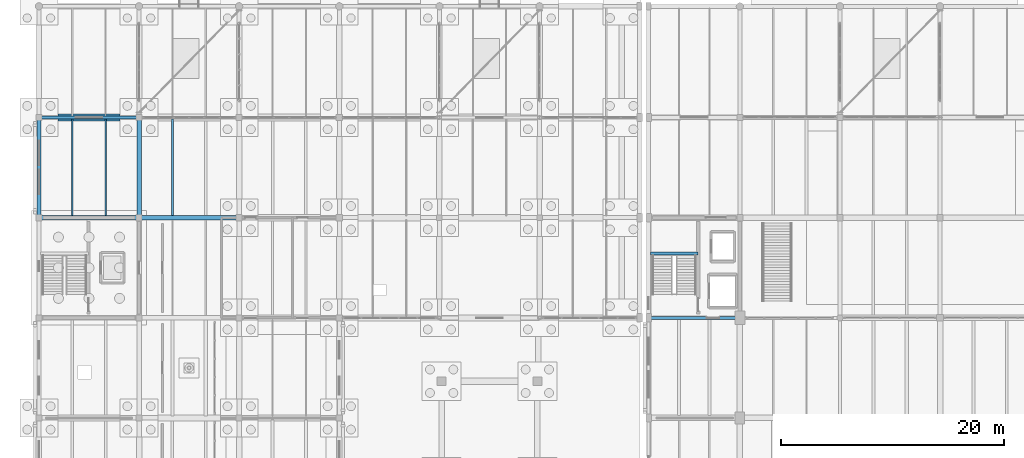
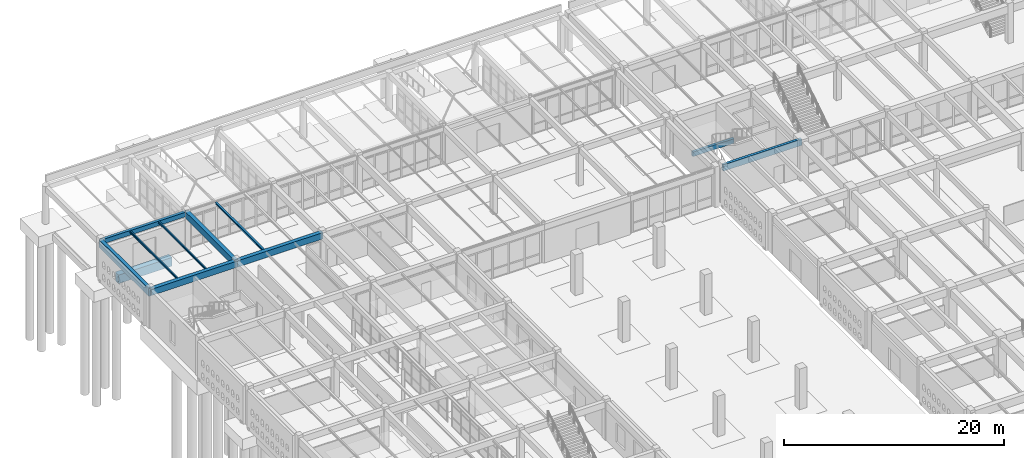
# One storey, part 64 of 186: 11 beams.
"""IFC4 building model written with IfcOpenShell, lengths in metres."""

from ifc_helpers import new_model, si_unit, direction, frame, origin, origin_2d, place, context, subcontext, project, spatial, rectangle, i_section, extrude, material, material_profile, profile_set, type_object, element, save


model = new_model("IFC4")

# Units and contexts
model_context = context("Model", 3, precision=1e-05, world=origin(), true_north=direction((0.0, 1.0)))
body_context = subcontext(model_context, "Body", "Model", "MODEL_VIEW")
ifc_project = project(units=[si_unit("LENGTHUNIT", "METRE"), si_unit("AREAUNIT", "SQUARE_METRE"), si_unit("VOLUMEUNIT", "CUBIC_METRE"), si_unit("PLANEANGLEUNIT", "RADIAN"), si_unit("MASSUNIT", "GRAM", prefix="KILO")], contexts=[model_context])

# Site, building, storey
site_placement = place(None, origin())
site = spatial("IfcSite", under=ifc_project, at=site_placement, CompositionType="ELEMENT")
building_placement = place(site_placement, origin())
building = spatial("IfcBuilding", under=site, at=building_placement, Name="Ornek Quay Market", CompositionType="ELEMENT")
storey_placement = place(building_placement, origin())
storey = spatial("IfcBuildingStorey", under=building, at=storey_placement, Name="L00", CompositionType="ELEMENT", Elevation=0.0)

# Beams
ifc_material_1 = material(Name="Concrete C35/45", Category="concrete")
ifc_material_profile_1 = material_profile(ifc_material_1, rectangle(XDim=0.60009765625, YDim=0.949951171875, at=origin_2d()), Name="RC 600x950", Category="concrete")
ifc_profile_set_1 = profile_set([ifc_material_profile_1], Name="Concrete C35/45")
beam_type_1 = type_object("IfcBeamType", Name="BM-GB-600x950", PredefinedType="BEAM", material=ifc_profile_set_1)
beam_1_placement = place(storey_placement, frame((1.699951171875, 110.0, -0.675048828125), z_axis=(1.0, 0.0, 0.0), x_axis=(0.0, 1.0, 0.0)))
element("IfcBeam", 1, at=beam_1_placement, inside=storey, type_object=beam_type_1, Name="Ground tie beam GB-042", PredefinedType="BEAM", context=body_context, shape_type="SweptSolid", body=[
    extrude(rectangle(XDim=0.60009765625, YDim=0.949951171875, at=origin_2d()), origin(), (0.0, 0.0, 1.0), 5.60009765625),
])
ifc_material_profile_2 = material_profile(ifc_material_1, rectangle(XDim=0.280029296875, YDim=0.5, at=origin_2d()), Name="RC 280x500", Category="concrete")
ifc_profile_set_2 = profile_set([ifc_material_profile_2], Name="Concrete C35/45")
beam_type_2 = type_object("IfcBeamType", Name="BM-SEC-280x500", PredefinedType="JOIST", material=ifc_profile_set_2)
beam_2_placement = place(storey_placement, frame((54.949951171875, 97.7919921875, 1.8349609375), z_axis=(1.0, 0.0, 0.0), x_axis=(0.0, 1.0, 0.0)))
element("IfcBeam", 2, at=beam_2_placement, inside=storey, type_object=beam_type_2, Name="Stair landing beam BL-05", PredefinedType="JOIST", context=body_context, shape_type="SweptSolid", body=[
    extrude(rectangle(XDim=0.280029296875, YDim=0.5, at=origin_2d()), origin(), (0.0, 0.0, 1.0), 4.300048828125),
])
ifc_material_profile_3 = material_profile(ifc_material_1, rectangle(XDim=0.280029296875, YDim=0.699951171875, at=origin_2d()), Name="RC 280x700", Category="concrete")
ifc_profile_set_3 = profile_set([ifc_material_profile_3], Name="Concrete C35/45")
beam_type_3 = type_object("IfcBeamType", Name="BM-SPN-280x700", PredefinedType="SPANDREL", material=ifc_profile_set_3)
beam_3_placement = place(storey_placement, frame((54.800048828125, 92.0, 3.889892578125), z_axis=(1.0, 0.0, 0.0), x_axis=(0.0, 1.0, 0.0)))
element("IfcBeam", 3, at=beam_3_placement, inside=storey, type_object=beam_type_3, Name="Primary beam B-SP2-017", PredefinedType="SPANDREL", context=body_context, shape_type="SweptSolid", body=[
    extrude(rectangle(XDim=0.280029296875, YDim=0.699951171875, at=origin_2d()), origin(), (0.0, 0.0, 1.0), 8.199951171875),
])
ifc_material_2 = material(Name="Concrete C40/50", Category="concrete")
ifc_material_profile_4 = material_profile(ifc_material_2, rectangle(XDim=0.35009765625, YDim=0.85009765625, at=origin_2d()), Name="RC 350x850", Category="concrete")
ifc_profile_set_4 = profile_set([ifc_material_profile_4], Name="Concrete C40/50")
beam_type_4 = type_object("IfcBeamType", Name="BM-SPN-350x850", PredefinedType="SPANDREL", material=ifc_profile_set_4)
beam_4_placement = place(storey_placement, frame((0.0, 101.0, 3.794921875), z_axis=(0.0, 1.0, 0.0), x_axis=(-1.0, 0.0, 0.0)))
element("IfcBeam", 4, at=beam_4_placement, inside=storey, type_object=beam_type_4, Name="Primary beam B-SP1-059", PredefinedType="SPANDREL", context=body_context, shape_type="SweptSolid", body=[
    extrude(rectangle(XDim=0.35009765625, YDim=0.85009765625, at=origin_2d()), origin(), (0.0, 0.0, 1.0), 9.0),
])
ifc_material_3 = material(Name="Steel S355", Category="steel")
ifc_material_profile_5 = material_profile(ifc_material_3, i_section(OverallWidth=0.199951171875, OverallDepth=0.18994140625, WebThickness=0.006591796875, FlangeThickness=0.010009765625, FilletRadius=0.01806640625, at=origin_2d()), Name="HEA 200", Category="steel")
ifc_profile_set_5 = profile_set([ifc_material_profile_5], Name="Steel S355")
beam_type_5 = type_object("IfcBeamType", Name="BM-STL-HEA200", PredefinedType="BEAM", material=ifc_profile_set_5)
beam_5_placement = place(storey_placement, frame((12.0, 101.19189453125, 4.125), z_axis=(0.0, 1.0, 0.0), x_axis=(-1.0, 0.0, 0.0)))
element("IfcBeam", 5, at=beam_5_placement, inside=storey, type_object=beam_type_5, Name="Secondary joist SB-12-009", PredefinedType="BEAM", context=body_context, shape_type="SweptSolid", body=[
    extrude(i_section(OverallWidth=0.199951171875, OverallDepth=0.18994140625, WebThickness=0.006591796875, FlangeThickness=0.010009765625, FilletRadius=0.01806640625, at=origin_2d()), origin(), (0.0, 0.0, 1.0), 8.666015625),
])
ifc_material_profile_6 = material_profile(ifc_material_3, i_section(OverallWidth=0.1201171875, OverallDepth=0.239990234375, WebThickness=0.006103515625, FlangeThickness=0.009765625, FilletRadius=0.014892578125, at=origin_2d()), Name="IPE 240", Category="steel")
ifc_profile_set_6 = profile_set([ifc_material_profile_6], Name="Steel S355")
beam_type_6 = type_object("IfcBeamType", Name="BM-STL-IPE240", PredefinedType="JOIST", material=ifc_profile_set_6)
for number, where, z_axis, x_axis, name in (
    (6, (3.0, 101.19189453125, 4.10009765625), (0.0, 1.0, 0.0), (-1.0, 0.0, 0.0), "Secondary joist SB-04-005"),
    (7, (6.0, 101.19189453125, 4.10009765625), (0.0, 1.0, 0.0), (-1.0, 0.0, 0.0), "Secondary joist SB-04-006"),
):
    element("IfcBeam", number, at=place(storey_placement, frame(where, z_axis=z_axis, x_axis=x_axis)), inside=storey, type_object=beam_type_6, Name=name, PredefinedType="JOIST", context=body_context, shape_type="SweptSolid", body=[
        extrude(i_section(OverallWidth=0.1201171875, OverallDepth=0.239990234375, WebThickness=0.006103515625, FlangeThickness=0.009765625, FilletRadius=0.014892578125, at=origin_2d()), origin(), (0.0, 0.0, 1.0), 8.666015625),
    ])
ifc_material_profile_7 = material_profile(ifc_material_2, rectangle(XDim=0.300048828125, YDim=0.5, at=origin_2d()), Name="RC 300x500", Category="concrete")
ifc_profile_set_7 = profile_set([ifc_material_profile_7], Name="Concrete C40/50")
beam_type_7 = type_object("IfcBeamType", Name="BM-UMB-RIM-300x500", PredefinedType="SPANDREL", material=ifc_profile_set_7)
beam_6_placement = place(storey_placement, frame((0.0, 110.0, 3.93994140625), z_axis=(1.0, 0.0, 0.0), x_axis=(0.0, 1.0, 0.0)))
element("IfcBeam", 8, at=beam_6_placement, inside=storey, type_object=beam_type_7, Name="Primary beam B-UMR-001", PredefinedType="SPANDREL", context=body_context, shape_type="SweptSolid", body=[
    extrude(rectangle(XDim=0.300048828125, YDim=0.5, at=origin_2d()), origin(), (0.0, 0.0, 1.0), 9.0),
])
ifc_material_profile_8 = material_profile(ifc_material_1, rectangle(XDim=0.39990234375, YDim=0.699951171875, at=origin_2d()), Name="RC 400x700", Category="concrete")
ifc_profile_set_8 = profile_set([ifc_material_profile_8], Name="Concrete C35/45")
beam_type_8 = type_object("IfcBeamType", Name="BM-WW-400x700", PredefinedType="BEAM", material=ifc_profile_set_8)
for number, where, z_axis, x_axis, name in (
    (9, (0.0, 101.0, 3.8701171875), (1.0, 0.0, 0.0), (0.0, 1.0, 0.0), "Primary beam B-WW1-025"),
    (10, (9.0, 101.0, 3.8701171875), (1.0, 0.0, 0.0), (0.0, 1.0, 0.0), "Primary beam B-WW1-026"),
    (11, (9.0, 101.0, 3.8701171875), (0.0, 1.0, 0.0), (-1.0, 0.0, 0.0), "Primary beam B-WW1-037"),
):
    element("IfcBeam", number, at=place(storey_placement, frame(where, z_axis=z_axis, x_axis=x_axis)), inside=storey, type_object=beam_type_8, Name=name, PredefinedType="BEAM", context=body_context, shape_type="SweptSolid", body=[
        extrude(rectangle(XDim=0.39990234375, YDim=0.699951171875, at=origin_2d()), origin(), (0.0, 0.0, 1.0), 9.0),
    ])

save(model, "model.ifc")
